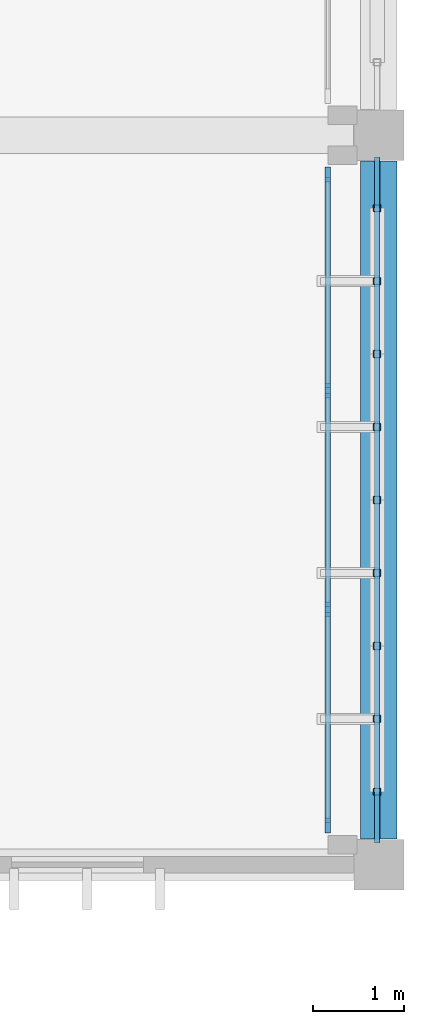
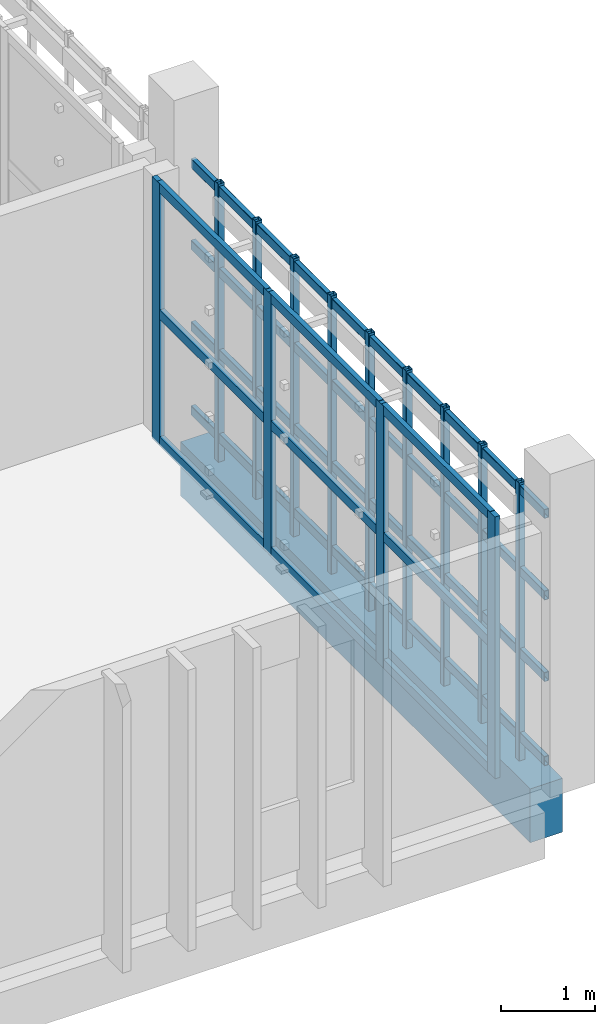
# One storey, part 31 of 63: 26 members, 1 beam, 1 element without a shape of its own.
"""IFC4 building model written with IfcOpenShell, lengths in metres."""

import ifcopenshell
import ifcopenshell.guid

model = None  # the IFC model being written
_history = None  # IfcOwnerHistory: only IFC2X3 demands one
_inside = {}  # id of a spatial element -> (the spatial element, [elements in it])
_under = {}  # id of a project, library or spatial element -> (it, [spatial elements below it])
_declared = {}  # id of a project -> (the project, [libraries it declares])
_typed = {}  # id of a type object -> (the type object, [elements of that type])
_made_of = {}  # id of a material, layer set ... -> (it, [elements and type objects made of it])


def new_model(schema):
    """Start an empty IFC model of exactly this schema.

    Asked for "IFC4X3", IfcOpenShell would pick the latest addendum, in which some entities
    have other attributes; the version numbers below select the first issue.
    IFC2X3 requires an IfcOwnerHistory on every rooted entity: one is made here for all.
    """
    global model, _history
    if schema == "IFC4X3":
        model = ifcopenshell.file(schema_version=(4, 3, 0, 0))
    else:
        model = ifcopenshell.file(schema=schema)
    _inside.clear()
    _under.clear()
    _declared.clear()
    _typed.clear()
    _made_of.clear()
    _history = None
    if model.schema == "IFC2X3":
        org = make("IfcOrganization", Name="unknown")
        user = make(
            "IfcPersonAndOrganization",
            ThePerson=make("IfcPerson", FamilyName="unknown"),
            TheOrganization=org,
        )
        app = make(
            "IfcApplication",
            ApplicationDeveloper=org,
            Version="unknown",
            ApplicationFullName="unknown",
            ApplicationIdentifier="unknown",
        )
        _history = make(
            "IfcOwnerHistory",
            OwningUser=user,
            OwningApplication=app,
            ChangeAction="ADDED",
            CreationDate=0,
        )
    return model


def make(cls, **values):
    """One entity of the class cls with the attributes given. An attribute that is None is left unset."""
    return model.create_entity(
        cls, **{name: value for name, value in values.items() if value is not None}
    )


def rooted(cls, **values):
    """An entity with a GlobalId (a new one), such as an element, a storey or a relation."""
    return make(cls, GlobalId=ifcopenshell.guid.new(), OwnerHistory=_history, **values)


def si_unit(unit_type, name, prefix=None):
    """IfcSIUnit, for example si_unit("LENGTHUNIT", "METRE", prefix="MILLI")."""
    return make("IfcSIUnit", UnitType=unit_type, Prefix=prefix, Name=name)


def assignment(units):
    """IfcUnitAssignment: the units of a project."""
    return None if units is None else make("IfcUnitAssignment", Units=units)


def point(xyz):
    """IfcCartesianPoint."""
    return None if xyz is None else make("IfcCartesianPoint", Coordinates=xyz)


def direction(xyz):
    """IfcDirection."""
    return None if xyz is None else make("IfcDirection", DirectionRatios=xyz)


def frame(location, z_axis=None, x_axis=None):
    """IfcAxis2Placement3D, a coordinate frame: its origin and axes. An axis left out is left unset."""
    return make(
        "IfcAxis2Placement3D",
        Location=point(location),
        Axis=direction(z_axis),
        RefDirection=direction(x_axis),
    )


def frame_2d(location, x_axis=None):
    """IfcAxis2Placement2D, a coordinate frame in the plane: its origin and x axis."""
    return make(
        "IfcAxis2Placement2D", Location=point(location), RefDirection=direction(x_axis)
    )


def origin():
    """The frame at (0, 0, 0) with its axes left unset."""
    return frame((0.0, 0.0, 0.0))


def origin_2d():
    """The frame at (0, 0) in the plane with its x axis left unset."""
    return frame_2d((0.0, 0.0))


def place(relative_to, where):
    """IfcLocalPlacement: puts the frame where relative to a parent placement (None: the world)."""
    return make(
        "IfcLocalPlacement", PlacementRelTo=relative_to, RelativePlacement=where
    )


def context(
    kind, dimensions, precision=None, world=None, true_north=None, identifier=None
):
    """IfcGeometricRepresentationContext, for example the 3D "Model" context."""
    return make(
        "IfcGeometricRepresentationContext",
        ContextIdentifier=identifier,
        ContextType=kind,
        CoordinateSpaceDimension=dimensions,
        Precision=precision,
        WorldCoordinateSystem=world,
        TrueNorth=true_north,
    )


def subcontext(parent, identifier, kind, view, scale=None):
    """IfcGeometricRepresentationSubContext, for example "Body" below "Model"."""
    return make(
        "IfcGeometricRepresentationSubContext",
        ContextIdentifier=identifier,
        ContextType=kind,
        ParentContext=parent,
        TargetScale=scale,
        TargetView=view,
    )


def project(units=None, contexts=None):
    """IfcProject with its units and contexts."""
    return rooted(
        "IfcProject",
        Name="project",
        RepresentationContexts=contexts,
        UnitsInContext=assignment(units),
    )


def spatial(cls, under=None, at=None, **own):
    """A site, building, storey or space (cls), placed at a placement, below another one or the project."""
    s = rooted(cls, ObjectPlacement=at, **own)
    if under is not None:
        _under.setdefault(under.id(), (under, []))[1].append(s)
    return s


def profile(cls, at=None, kind="AREA", **sizes):
    """A parametric profile (cls). Its sizes go by their IFC names, for example OverallWidth=200.0."""
    return make(cls, ProfileType=kind, Position=at, **sizes)


def rectangle(**sizes):
    """IfcRectangleProfileDef."""
    return profile("IfcRectangleProfileDef", **sizes)


def hollow_rectangle(**sizes):
    """IfcRectangleHollowProfileDef."""
    return profile("IfcRectangleHollowProfileDef", **sizes)


def extrude(swept, where, along, depth):
    """IfcExtrudedAreaSolid: the profile swept, set in the frame where, extruded along a direction by depth."""
    return make(
        "IfcExtrudedAreaSolid",
        SweptArea=swept,
        Position=where,
        ExtrudedDirection=direction(along),
        Depth=depth,
    )


def shape(context_of_items, identifier, shape_type, items):
    """IfcShapeRepresentation: the items that make up one representation, for example the "Body"."""
    return make(
        "IfcShapeRepresentation",
        ContextOfItems=context_of_items,
        RepresentationIdentifier=identifier,
        RepresentationType=shape_type,
        Items=items,
    )


def material(Name=None, Category=None):
    """IfcMaterial."""
    return make("IfcMaterial", Name=Name, Category=Category)


def layer(
    of_material, thickness, ventilated=None, Name=None, Category=None, Priority=None
):
    """IfcMaterialLayer: one layer of a wall or slab, of a material (None: an air gap)."""
    return make(
        "IfcMaterialLayer",
        Material=of_material,
        LayerThickness=thickness,
        IsVentilated=ventilated,
        Name=Name,
        Category=Category,
        Priority=Priority,
    )


def layer_set(layers, Name=None):
    """IfcMaterialLayerSet."""
    return make("IfcMaterialLayerSet", MaterialLayers=layers, LayerSetName=Name)


def material_profile(
    of_material, cross_section, Name=None, Category=None, Priority=None
):
    """IfcMaterialProfile: a cross section and its material."""
    return make(
        "IfcMaterialProfile",
        Name=Name,
        Material=of_material,
        Profile=cross_section,
        Priority=Priority,
        Category=Category,
    )


def profile_set(profiles, Name=None, composite=None):
    """IfcMaterialProfileSet."""
    return make(
        "IfcMaterialProfileSet",
        Name=Name,
        MaterialProfiles=profiles,
        CompositeProfile=composite,
    )


def made_of(thing, what):
    """Note that an element or type object is made of a material, layer set ...; save() writes the relation."""
    if what is not None:
        _made_of.setdefault(what.id(), (what, []))[1].append(thing)
    return thing


def type_object(cls, material=None, **own):
    """A type object (cls), such as IfcWallType, which elements share."""
    return made_of(rooted(cls, **own), material)


def element(
    cls,
    number,
    at=None,
    inside=None,
    cuts=None,
    type_object=None,
    material=None,
    context=None,
    identifier="Body",
    shape_type=None,
    held_by="IfcProductDefinitionShape",
    body=None,
    shapes=None,
    **own,
):
    """One element of the class cls, such as IfcWall. Its Tag is "e" and its number.

    at: its placement. inside: the storey or other place that contains it. cuts: it is an
    opening in that element (IfcRelVoidsElement). A single representation is given by context,
    identifier, shape_type and body (its items); several are given by shapes. held_by: the class
    of the entity that holds the representations. save() writes the other relations.
    """
    e = rooted(cls, Tag="e%d" % number, ObjectPlacement=at, **own)
    if body is not None:
        shapes = [shape(context, identifier, shape_type, body)]
    if shapes is not None:
        e.Representation = make(held_by, Representations=shapes)
    if inside is not None:
        _inside.setdefault(inside.id(), (inside, []))[1].append(e)
    if cuts is not None:
        rooted(
            "IfcRelVoidsElement", RelatingBuildingElement=cuts, RelatedOpeningElement=e
        )
    if type_object is not None:
        _typed.setdefault(type_object.id(), (type_object, []))[1].append(e)
    return made_of(e, material)


def aggregate(whole, parts):
    """IfcRelAggregates: a whole, such as a stair, and the parts it consists of."""
    return rooted("IfcRelAggregates", RelatingObject=whole, RelatedObjects=parts)


def save(model, path):
    """Write the relations noted so far, then the file.

    IfcRelAggregates (storeys below a building ...), IfcRelContainedInSpatialStructure (elements
    in a storey), IfcRelDefinesByType, IfcRelAssociatesMaterial and IfcRelDeclares: one each for
    every whole, place, type object, material and project.
    """
    for whole, parts in _under.values():
        aggregate(whole, parts)
    for where, things in _inside.values():
        rooted(
            "IfcRelContainedInSpatialStructure",
            RelatedElements=things,
            RelatingStructure=where,
        )
    for kind, things in _typed.values():
        rooted("IfcRelDefinesByType", RelatedObjects=things, RelatingType=kind)
    for what, things in _made_of.values():
        rooted("IfcRelAssociatesMaterial", RelatedObjects=things, RelatingMaterial=what)
    for by, libraries in _declared.values():
        rooted("IfcRelDeclares", RelatingContext=by, RelatedDefinitions=libraries)
    model.write(path)


model = new_model("IFC4")

# Units and contexts
model_context = context("Model", 3, precision=1e-05, world=origin(), true_north=direction((0.0, 1.0)))
body_context = subcontext(model_context, "Body", "Model", "MODEL_VIEW")
ifc_project = project(units=[si_unit("LENGTHUNIT", "METRE"), si_unit("AREAUNIT", "SQUARE_METRE"), si_unit("VOLUMEUNIT", "CUBIC_METRE"), si_unit("PLANEANGLEUNIT", "RADIAN"), si_unit("MASSUNIT", "GRAM", prefix="KILO")], contexts=[model_context])

# Site, building, storey
site_placement = place(None, origin())
site = spatial("IfcSite", under=ifc_project, at=site_placement, CompositionType="ELEMENT")
building_placement = place(site_placement, origin())
building = spatial("IfcBuilding", under=site, at=building_placement, Name="Jelvoka-Kovrelna Polytechnic", CompositionType="ELEMENT")
storey_placement = place(building_placement, frame((0.0, 0.0, 18.0)))
storey = spatial("IfcBuildingStorey", under=building, at=storey_placement, Name="L05", CompositionType="ELEMENT", Elevation=18.0)

# Beam
ifc_material_1 = material(Name="Concrete C40/50", Category="concrete")
ifc_material_profile_1 = material_profile(ifc_material_1, rectangle(XDim=0.39990234375, YDim=0.699951171875, at=origin_2d()), Name="RC 400x700")
ifc_profile_set_1 = profile_set([ifc_material_profile_1], Name="Concrete C40/50")
beam_type = type_object("IfcBeamType", Name="Beam_RC_400x700", PredefinedType="BEAM", material=ifc_profile_set_1)
beam_placement = place(storey_placement, frame((200.0, 32.280029296875, -0.60009765625), z_axis=(0.0, 1.0, 0.0), x_axis=(-1.0, 0.0, 0.0)))
element("IfcBeam", 1, at=beam_placement, inside=storey, type_object=beam_type, Name="L05 beam 1503", PredefinedType="BEAM", context=body_context, shape_type="SweptSolid", body=[
    extrude(rectangle(XDim=0.39990234375, YDim=0.699951171875, at=origin_2d()), origin(), (0.0, 0.0, 1.0), 7.43994140625),
])

# Members
ifc_material_2 = material(Name="Structural steel S355J2H", Category="steel")
ifc_material_profile_2 = material_profile(ifc_material_2, hollow_rectangle(XDim=0.06005859375, YDim=0.1201171875, WallThickness=0.0048828125, InnerFilletRadius=0.0048828125, OuterFilletRadius=0.007568359375, at=origin_2d()), Name="120x60x5.0 RHS")
ifc_profile_set_2 = profile_set([ifc_material_profile_2], Name="Structural steel S355J2H")
member_type_1 = type_object("IfcMemberType", Name="Member_Strut_RHS120", PredefinedType="STRUT", material=ifc_profile_set_2)
for number, where, z_axis, x_axis, name in (
    (2, (199.97998046875, 32.239990234375, 0.080078125), (0.0, 1.0, 0.0), (-1.0, 0.0, 0.0), "L05 terracotta screen horizontal strut 0508"),
    (3, (199.97998046875, 32.239990234375, 1.17138671875), (0.0, 1.0, 0.0), (-1.0, 0.0, 0.0), "L05 terracotta screen horizontal strut 0509"),
    (4, (199.97998046875, 32.239990234375, 2.230712890625), (0.0, 1.0, 0.0), (-1.0, 0.0, 0.0), "L05 terracotta screen horizontal strut 0510"),
    (5, (199.97998046875, 32.239990234375, 3.2900390625), (0.0, 1.0, 0.0), (-1.0, 0.0, 0.0), "L05 terracotta screen horizontal strut 0511"),
):
    element("IfcMember", number, at=place(storey_placement, frame(where, z_axis=z_axis, x_axis=x_axis)), inside=storey, type_object=member_type_1, Name=name, PredefinedType="STRUT", context=body_context, shape_type="SweptSolid", body=[
        extrude(hollow_rectangle(XDim=0.06005859375, YDim=0.1201171875, WallThickness=0.0048828125, InnerFilletRadius=0.0048828125, OuterFilletRadius=0.007568359375, at=origin_2d()), origin(), (0.0, 0.0, 1.0), 7.52001953125),
    ])
ifc_material_3 = material(Name="Structural steel S355J2H", Category="steel")
ifc_material_profile_3 = material_profile(ifc_material_3, hollow_rectangle(XDim=0.080078125, YDim=0.080078125, WallThickness=0.0048828125, InnerFilletRadius=0.0048828125, OuterFilletRadius=0.007568359375, at=origin_2d()), Name="80x80x5.0 SHS")
ifc_profile_set_3 = profile_set([ifc_material_profile_3], Name="Structural steel S355J2H")
member_type_2 = type_object("IfcMemberType", Name="Member_Strut_SHS80", PredefinedType="STRUT", material=ifc_profile_set_3)
for number, where, z_axis, x_axis, name in (
    (6, (199.97998046875, 32.800048828125, -0.22998046875), (0.0, 0.0, 1.0), (1.0, 0.0, 0.0), "L05 terracotta lattice vertical rib 0512"),
    (7, (199.97998046875, 33.60009765625, -0.22998046875), (0.0, 0.0, 1.0), (1.0, 0.0, 0.0), "L05 terracotta lattice vertical rib 0513"),
    (8, (199.97998046875, 34.39990234375, -0.22998046875), (0.0, 0.0, 1.0), (1.0, 0.0, 0.0), "L05 terracotta lattice vertical rib 0514"),
    (9, (199.97998046875, 35.199951171875, -0.22998046875), (0.0, 0.0, 1.0), (1.0, 0.0, 0.0), "L05 terracotta lattice vertical rib 0515"),
    (10, (199.97998046875, 36.0, -0.22998046875), (0.0, 0.0, 1.0), (1.0, 0.0, 0.0), "L05 terracotta lattice vertical rib 0516"),
    (11, (199.97998046875, 36.800048828125, -0.22998046875), (0.0, 0.0, 1.0), (1.0, 0.0, 0.0), "L05 terracotta lattice vertical rib 0517"),
    (12, (199.97998046875, 37.60009765625, -0.22998046875), (0.0, 0.0, 1.0), (1.0, 0.0, 0.0), "L05 terracotta lattice vertical rib 0518"),
    (13, (199.97998046875, 38.39990234375, -0.22998046875), (0.0, 0.0, 1.0), (1.0, 0.0, 0.0), "L05 terracotta lattice vertical rib 0519"),
    (14, (199.97998046875, 39.199951171875, -0.22998046875), (0.0, 0.0, 1.0), (1.0, 0.0, 0.0), "L05 terracotta lattice vertical rib 0520"),
):
    element("IfcMember", number, at=place(storey_placement, frame(where, z_axis=z_axis, x_axis=x_axis)), inside=storey, type_object=member_type_2, Name=name, PredefinedType="STRUT", context=body_context, shape_type="SweptSolid", body=[
        extrude(hollow_rectangle(XDim=0.080078125, YDim=0.080078125, WallThickness=0.0048828125, InnerFilletRadius=0.0048828125, OuterFilletRadius=0.007568359375, at=origin_2d()), origin(), (0.0, 0.0, 1.0), 3.60986328125),
    ])

# Curtain wall, members
ifc_material_4 = material(Name="Anodised aluminium 6063-T6", Category="aluminium")
ifc_layer = layer(ifc_material_4, 0.159912109375)
ifc_layer_set = layer_set([ifc_layer], Name="Anodised aluminium 6063-T6")
curtain_wall_type = type_object("IfcCurtainWallType", Name="CW_Recessed_A", PredefinedType="NOTDEFINED", material=ifc_layer_set)
curtain_wall_placement = place(storey_placement, origin())
curtain_wall = element("IfcCurtainWall", 15, at=curtain_wall_placement, inside=storey, type_object=curtain_wall_type, Name="L05 glazed curtain wall 072", PredefinedType="NOTDEFINED")
ifc_material_5 = material(Name="Anodised aluminium 6063-T6", Category="aluminium")
ifc_material_profile_4 = material_profile(ifc_material_5, rectangle(XDim=0.06005859375, YDim=0.159912109375, at=origin_2d()), Name="ALU 60x160")
ifc_profile_set_4 = profile_set([ifc_material_profile_4], Name="Anodised aluminium 6063-T6")
member_type_3 = type_object("IfcMemberType", Name="Mullion_M-01", PredefinedType="MULLION", material=ifc_profile_set_4)
member_1_placement = place(storey_placement, frame((199.43994140625, 39.570068359375, -0.02490234375), z_axis=(0.0, 0.0, 1.0), x_axis=(1.0, 0.0, 0.0)))
member_1 = element("IfcMember", 16, at=member_1_placement, type_object=member_type_3, Name="CW-01 mullion 1", PredefinedType="MULLION", context=body_context, shape_type="SweptSolid", body=[
    extrude(rectangle(XDim=0.06005859375, YDim=0.159912109375, at=origin_2d()), origin(), (0.0, 0.0, 1.0), 3.400146484375),
])
member_2_placement = place(storey_placement, frame((199.43994140625, 37.199951171875, -0.02490234375), z_axis=(0.0, 0.0, 1.0), x_axis=(1.0, 0.0, 0.0)))
member_2 = element("IfcMember", 17, at=member_2_placement, type_object=member_type_3, Name="CW-01 mullion 2", PredefinedType="MULLION", context=body_context, shape_type="SweptSolid", body=[
    extrude(rectangle(XDim=0.06005859375, YDim=0.159912109375, at=origin_2d()), origin(), (0.0, 0.0, 1.0), 3.400146484375),
])
member_3_placement = place(storey_placement, frame((199.43994140625, 34.800048828125, -0.02490234375), z_axis=(0.0, 0.0, 1.0), x_axis=(1.0, 0.0, 0.0)))
member_3 = element("IfcMember", 18, at=member_3_placement, type_object=member_type_3, Name="CW-01 mullion 3", PredefinedType="MULLION", context=body_context, shape_type="SweptSolid", body=[
    extrude(rectangle(XDim=0.06005859375, YDim=0.159912109375, at=origin_2d()), origin(), (0.0, 0.0, 1.0), 3.400146484375),
])
member_4_placement = place(storey_placement, frame((199.43994140625, 32.429931640625, -0.02490234375), z_axis=(0.0, 0.0, 1.0), x_axis=(1.0, 0.0, 0.0)))
member_4 = element("IfcMember", 19, at=member_4_placement, type_object=member_type_3, Name="CW-01 mullion 4", PredefinedType="MULLION", context=body_context, shape_type="SweptSolid", body=[
    extrude(rectangle(XDim=0.06005859375, YDim=0.159912109375, at=origin_2d()), origin(), (0.0, 0.0, 1.0), 3.400146484375),
])
ifc_material_6 = material(Name="Anodised aluminium 6063-T6", Category="aluminium")
ifc_material_profile_5 = material_profile(ifc_material_6, rectangle(XDim=0.06005859375, YDim=0.1201171875, at=origin_2d()), Name="ALU 60x120")
ifc_profile_set_5 = profile_set([ifc_material_profile_5], Name="Anodised aluminium 6063-T6")
member_type_4 = type_object("IfcMemberType", Name="Transom_T-01", PredefinedType="USERDEFINED", material=ifc_profile_set_5)
member_5_placement = place(storey_placement, frame((199.43994140625, 39.5400390625, 0.030029296875), z_axis=(0.0, -1.0, 0.0), x_axis=(1.0, 0.0, 0.0)))
member_5 = element("IfcMember", 20, at=member_5_placement, type_object=member_type_4, Name="CW-01 transom 1.1", ObjectType="TRANSOM", PredefinedType="USERDEFINED", context=body_context, shape_type="SweptSolid", body=[
    extrude(rectangle(XDim=0.06005859375, YDim=0.1201171875, at=origin_2d()), origin(), (0.0, 0.0, 1.0), 2.31005859375),
])
member_6_placement = place(storey_placement, frame((199.43994140625, 39.5400390625, 1.675048828125), z_axis=(0.0, -1.0, 0.0), x_axis=(1.0, 0.0, 0.0)))
member_6 = element("IfcMember", 21, at=member_6_placement, type_object=member_type_4, Name="CW-01 transom 1.2", ObjectType="TRANSOM", PredefinedType="USERDEFINED", context=body_context, shape_type="SweptSolid", body=[
    extrude(rectangle(XDim=0.06005859375, YDim=0.1201171875, at=origin_2d()), origin(), (0.0, 0.0, 1.0), 2.31005859375),
])
member_7_placement = place(storey_placement, frame((199.43994140625, 39.5400390625, 3.320068359375), z_axis=(0.0, -1.0, 0.0), x_axis=(1.0, 0.0, 0.0)))
member_7 = element("IfcMember", 22, at=member_7_placement, type_object=member_type_4, Name="CW-01 transom 1.3", ObjectType="TRANSOM", PredefinedType="USERDEFINED", context=body_context, shape_type="SweptSolid", body=[
    extrude(rectangle(XDim=0.06005859375, YDim=0.1201171875, at=origin_2d()), origin(), (0.0, 0.0, 1.0), 2.31005859375),
])
member_8_placement = place(storey_placement, frame((199.43994140625, 37.169921875, 0.030029296875), z_axis=(0.0, -1.0, 0.0), x_axis=(1.0, 0.0, 0.0)))
member_8 = element("IfcMember", 23, at=member_8_placement, type_object=member_type_4, Name="CW-01 transom 2.1", ObjectType="TRANSOM", PredefinedType="USERDEFINED", context=body_context, shape_type="SweptSolid", body=[
    extrude(rectangle(XDim=0.06005859375, YDim=0.1201171875, at=origin_2d()), origin(), (0.0, 0.0, 1.0), 2.33984375),
])
member_9_placement = place(storey_placement, frame((199.43994140625, 37.169921875, 1.675048828125), z_axis=(0.0, -1.0, 0.0), x_axis=(1.0, 0.0, 0.0)))
member_9 = element("IfcMember", 24, at=member_9_placement, type_object=member_type_4, Name="CW-01 transom 2.2", ObjectType="TRANSOM", PredefinedType="USERDEFINED", context=body_context, shape_type="SweptSolid", body=[
    extrude(rectangle(XDim=0.06005859375, YDim=0.1201171875, at=origin_2d()), origin(), (0.0, 0.0, 1.0), 2.33984375),
])
member_10_placement = place(storey_placement, frame((199.43994140625, 37.169921875, 3.320068359375), z_axis=(0.0, -1.0, 0.0), x_axis=(1.0, 0.0, 0.0)))
member_10 = element("IfcMember", 25, at=member_10_placement, type_object=member_type_4, Name="CW-01 transom 2.3", ObjectType="TRANSOM", PredefinedType="USERDEFINED", context=body_context, shape_type="SweptSolid", body=[
    extrude(rectangle(XDim=0.06005859375, YDim=0.1201171875, at=origin_2d()), origin(), (0.0, 0.0, 1.0), 2.33984375),
])
member_11_placement = place(storey_placement, frame((199.43994140625, 34.77001953125, 0.030029296875), z_axis=(0.0, -1.0, 0.0), x_axis=(1.0, 0.0, 0.0)))
member_11 = element("IfcMember", 26, at=member_11_placement, type_object=member_type_4, Name="CW-01 transom 3.1", ObjectType="TRANSOM", PredefinedType="USERDEFINED", context=body_context, shape_type="SweptSolid", body=[
    extrude(rectangle(XDim=0.06005859375, YDim=0.1201171875, at=origin_2d()), origin(), (0.0, 0.0, 1.0), 2.31005859375),
])
member_12_placement = place(storey_placement, frame((199.43994140625, 34.77001953125, 1.675048828125), z_axis=(0.0, -1.0, 0.0), x_axis=(1.0, 0.0, 0.0)))
member_12 = element("IfcMember", 27, at=member_12_placement, type_object=member_type_4, Name="CW-01 transom 3.2", ObjectType="TRANSOM", PredefinedType="USERDEFINED", context=body_context, shape_type="SweptSolid", body=[
    extrude(rectangle(XDim=0.06005859375, YDim=0.1201171875, at=origin_2d()), origin(), (0.0, 0.0, 1.0), 2.31005859375),
])
member_13_placement = place(storey_placement, frame((199.43994140625, 34.77001953125, 3.320068359375), z_axis=(0.0, -1.0, 0.0), x_axis=(1.0, 0.0, 0.0)))
member_13 = element("IfcMember", 28, at=member_13_placement, type_object=member_type_4, Name="CW-01 transom 3.3", ObjectType="TRANSOM", PredefinedType="USERDEFINED", context=body_context, shape_type="SweptSolid", body=[
    extrude(rectangle(XDim=0.06005859375, YDim=0.1201171875, at=origin_2d()), origin(), (0.0, 0.0, 1.0), 2.31005859375),
])
aggregate(curtain_wall, [member_1, member_2, member_3, member_4, member_5, member_6, member_7, member_8, member_9, member_10, member_11, member_12, member_13])

save(model, "model.ifc")
